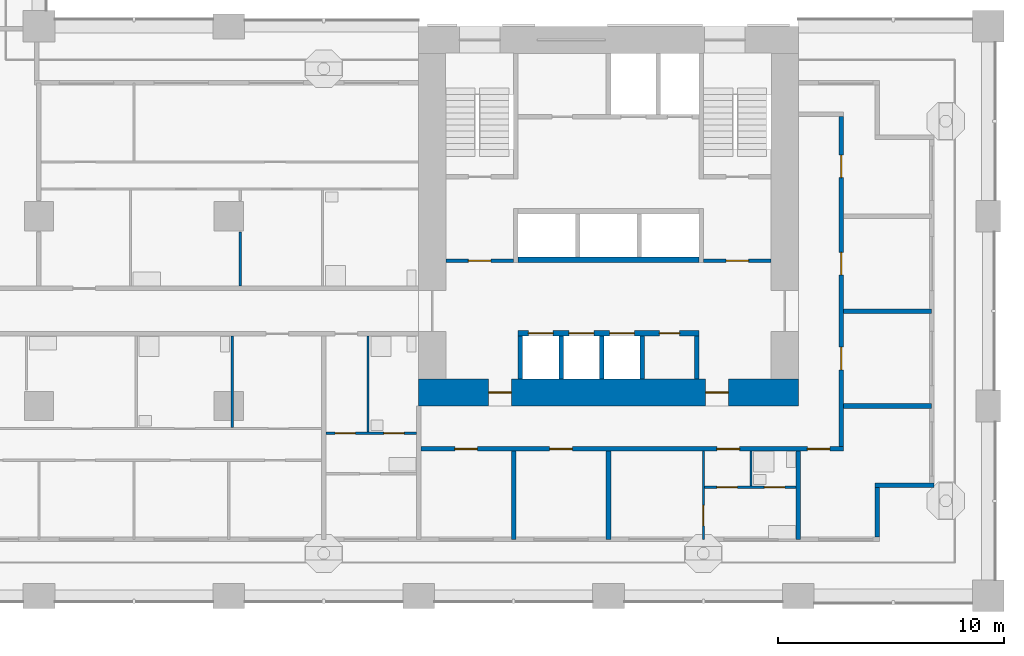
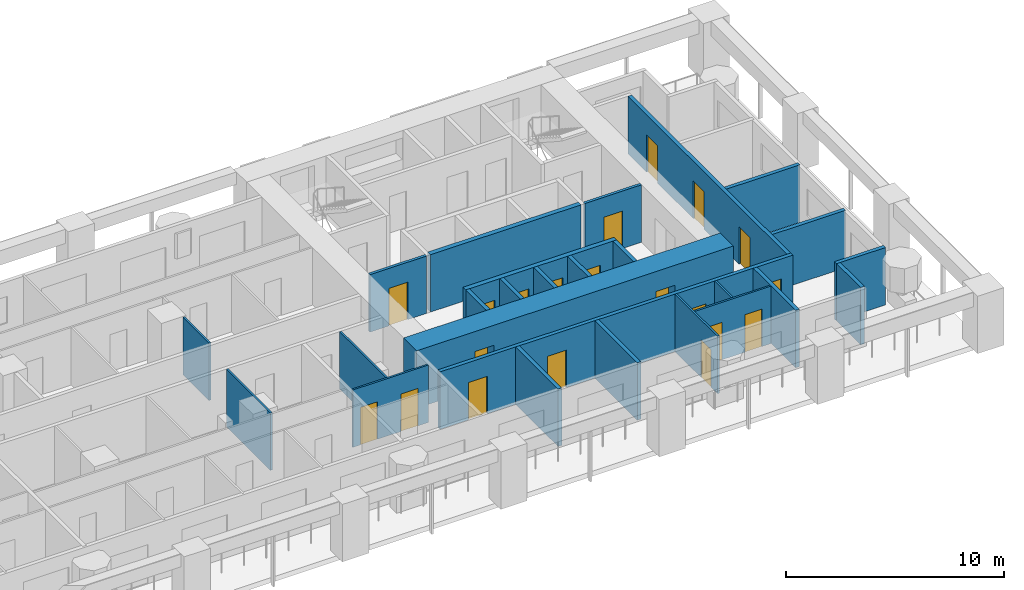
# One storey, part 5 of 19: 26 walls, 20 doors, 20 openings.
"""IFC4 building model written with IfcOpenShell, lengths in metres."""

from ifc_helpers import new_model, si_unit, direction, frame, frame_2d, origin, place, context, subcontext, project, spatial, rectangle, extrude, material, layer, layer_set, type_object, element, fill, save


model = new_model("IFC4")

# Units and contexts
model_context = context("Model", 3, precision=1e-05, world=origin(), true_north=direction((0.0, 1.0)))
body_context = subcontext(model_context, "Body", "Model", "MODEL_VIEW")
ifc_project = project(units=[si_unit("LENGTHUNIT", "METRE"), si_unit("AREAUNIT", "SQUARE_METRE"), si_unit("VOLUMEUNIT", "CUBIC_METRE"), si_unit("PLANEANGLEUNIT", "RADIAN"), si_unit("MASSUNIT", "GRAM", prefix="KILO")], contexts=[model_context])

# Site, building, storey
site_placement = place(None, origin())
site = spatial("IfcSite", under=ifc_project, at=site_placement, CompositionType="ELEMENT")
building_placement = place(site_placement, origin())
building = spatial("IfcBuilding", under=site, at=building_placement, Name="Vermilion Gate Residences", CompositionType="ELEMENT")
storey_placement = place(building_placement, frame((0.0, 0.0, 28.699951171875)))
storey = spatial("IfcBuildingStorey", under=building, at=storey_placement, Name="L05", CompositionType="ELEMENT", Elevation=28.699951171875)

# Wall, opening, door
ifc_material_1 = material(Name="Masonry blockwork", Category="masonry")
ifc_layer_1 = layer(ifc_material_1, 0.14990234375)
ifc_layer_set_1 = layer_set([ifc_layer_1], Name="BLOCKWORK PARTITION 150 EI 120")
wall_type_1 = type_object("IfcWallType", Name="BLOCKWORK PARTITION 150 EI 120", PredefinedType="PARTITIONING", material=ifc_layer_set_1)
wall_1_placement = place(storey_placement, frame((43.199951171875, 14.824951171875, 0.0), z_axis=(0.0, 0.0, 1.0), x_axis=(1.0, 0.0, 0.0)))
wall_1 = element("IfcWall", 1, at=wall_1_placement, inside=storey, type_object=wall_type_1, Name="Core room partition A05-VW-S", PredefinedType="PARTITIONING", context=body_context, shape_type="SweptSolid", body=[
    extrude(rectangle(XDim=3.0, YDim=0.14990234375, at=frame_2d((1.5, 0.0))), origin(), (0.0, 0.0, 1.0), 3.219970703125),
])
opening_1_placement = place(wall_1_placement, frame((1.0, 0.0, 0.0)))
opening_1 = element("IfcOpeningElement", 2, at=opening_1_placement, cuts=wall_1, Name="Opening DK05012", PredefinedType="OPENING", context=body_context, shape_type="SweptSolid", body=[
    extrude(rectangle(XDim=1.0, YDim=2.10009765625, at=frame_2d((0.5, 1.050048828125))), frame((0.0, 0.0849609375, 0.0), z_axis=(0.0, -1.0, 0.0), x_axis=(1.0, 0.0, 0.0)), (0.0, 0.0, 1.0), 0.169921875),
])
ifc_material_2 = material(Name="Steel", Category="steel")
door_type_1 = type_object("IfcDoorType", Name="FIRE DOOR FD60 1000 X 2100", OperationType="SINGLE_SWING_LEFT", PredefinedType="DOOR", material=ifc_material_2)
door_1_placement = place(opening_1_placement, frame((1.0, 0.0, 0.0), z_axis=(0.0, 0.0, 1.0), x_axis=(-1.0, 0.0, 0.0)))
door_1 = element("IfcDoor", 3, at=door_1_placement, inside=storey, type_object=door_type_1, Name="Stair vestibule door A05", OperationType="SINGLE_SWING_RIGHT", OverallHeight=2.10009765625, OverallWidth=1.0, PredefinedType="DOOR", context=body_context, shape_type="SweptSolid", body=[
    extrude(rectangle(XDim=1.0, YDim=2.10009765625, at=frame_2d((0.5, 1.050048828125))), frame((0.0, 0.02490234375, 0.0), z_axis=(0.0, -1.0, 0.0), x_axis=(1.0, 0.0, 0.0)), (0.0, 0.0, 1.0), 0.050048828125),
])
fill(opening_1, door_1)

wall_2_placement = place(storey_placement, frame((54.60009765625, 14.824951171875, 0.0), z_axis=(0.0, 0.0, 1.0), x_axis=(1.0, 0.0, 0.0)))
wall_2 = element("IfcWall", 4, at=wall_2_placement, inside=storey, type_object=wall_type_1, Name="Core room partition A05-VE-S", PredefinedType="PARTITIONING", context=body_context, shape_type="SweptSolid", body=[
    extrude(rectangle(XDim=3.0, YDim=0.14990234375, at=frame_2d((1.5, 0.0))), origin(), (0.0, 0.0, 1.0), 3.219970703125),
])
opening_2_placement = place(wall_2_placement, frame((1.0, 0.0, 0.0)))
opening_2 = element("IfcOpeningElement", 5, at=opening_2_placement, cuts=wall_2, Name="Opening DK05014", PredefinedType="OPENING", context=body_context, shape_type="SweptSolid", body=[
    extrude(rectangle(XDim=1.0, YDim=2.10009765625, at=frame_2d((0.5, 1.050048828125))), frame((0.0, 0.0849609375, 0.0), z_axis=(0.0, -1.0, 0.0), x_axis=(1.0, 0.0, 0.0)), (0.0, 0.0, 1.0), 0.169921875),
])
door_2_placement = place(opening_2_placement, frame((1.0, 0.0, 0.0), z_axis=(0.0, 0.0, 1.0), x_axis=(-1.0, 0.0, 0.0)))
door_2 = element("IfcDoor", 6, at=door_2_placement, inside=storey, type_object=door_type_1, Name="Stair vestibule door A05", OperationType="SINGLE_SWING_LEFT", OverallHeight=2.10009765625, OverallWidth=1.0, PredefinedType="DOOR", context=body_context, shape_type="SweptSolid", body=[
    extrude(rectangle(XDim=1.0, YDim=2.10009765625, at=frame_2d((0.5, 1.050048828125))), frame((0.0, 0.02490234375, 0.0), z_axis=(0.0, -1.0, 0.0), x_axis=(1.0, 0.0, 0.0)), (0.0, 0.0, 1.0), 0.050048828125),
])
fill(opening_2, door_2)

# Walls
ifc_material_3 = material(Name="Insulated steel stud wall with terracotta rainscreen", Category="masonry")
ifc_layer_2 = layer(ifc_material_3, 0.199951171875)
ifc_layer_set_2 = layer_set([ifc_layer_2], Name="EXTERNAL WALL 200 TERRACOTTA RAINSCREEN")
wall_type_2 = type_object("IfcWallType", Name="EXTERNAL WALL 200 TERRACOTTA RAINSCREEN", PredefinedType="SOLIDWALL", material=ifc_layer_set_2)
wall_3_placement = place(storey_placement, frame((62.300048828125, 2.60009765625, 0.0), z_axis=(0.0, 0.0, 1.0), x_axis=(0.0, 1.0, 0.0)))
element("IfcWall", 7, at=wall_3_placement, inside=storey, type_object=wall_type_2, Name="External wall", PredefinedType="SOLIDWALL", context=body_context, shape_type="SweptSolid", body=[
    extrude(rectangle(XDim=2.199951171875, YDim=0.199951171875, at=frame_2d((1.10009765625, 0.0))), origin(), (0.0, 0.0, 1.0), 3.219970703125),
])
wall_4_placement = place(storey_placement, frame((62.199951171875, 4.89990234375, 0.0), z_axis=(0.0, 0.0, 1.0), x_axis=(1.0, 0.0, 0.0)))
element("IfcWall", 8, at=wall_4_placement, inside=storey, type_object=wall_type_2, Name="External wall", PredefinedType="SOLIDWALL", context=body_context, shape_type="SweptSolid", body=[
    extrude(rectangle(XDim=2.60009765625, YDim=0.199951171875, at=frame_2d((1.300048828125, 0.0))), origin(), (0.0, 0.0, 1.0), 3.219970703125),
])

# Wall, openings, doors
ifc_material_4 = material(Name="Plasterboard on steel studs", Category="steel")
ifc_layer_3 = layer(ifc_material_4, 0.10009765625)
ifc_layer_set_3 = layer_set([ifc_layer_3], Name="PARTITION 100")
wall_type_3 = type_object("IfcWallType", Name="PARTITION 100", PredefinedType="PARTITIONING", material=ifc_layer_set_3)
wall_5_placement = place(storey_placement, frame((54.64990234375, 4.800048828125, 0.0), z_axis=(0.0, 0.0, 1.0), x_axis=(1.0, 0.0, 0.0)))
wall_5 = element("IfcWall", 9, at=wall_5_placement, inside=storey, type_object=wall_type_3, Name="Partition", PredefinedType="PARTITIONING", context=body_context, shape_type="SweptSolid", body=[
    extrude(rectangle(XDim=4.050048828125, YDim=0.10009765625, at=frame_2d((2.02490234375, 0.0))), origin(), (0.0, 0.0, 1.0), 3.219970703125),
])
opening_3_placement = place(wall_5_placement, frame((0.550048828125, 0.0, 0.0)))
opening_3 = element("IfcOpeningElement", 10, at=opening_3_placement, cuts=wall_5, Name="Opening DA04001", PredefinedType="OPENING", context=body_context, shape_type="SweptSolid", body=[
    extrude(rectangle(XDim=0.89990234375, YDim=2.10009765625, at=frame_2d((0.449951171875, 1.050048828125))), frame((0.0, 0.06005859375, 0.0), z_axis=(0.0, -1.0, 0.0), x_axis=(1.0, 0.0, 0.0)), (0.0, 0.0, 1.0), 0.1201171875),
])
opening_4_placement = place(wall_5_placement, frame((2.64990234375, 0.0, 0.0)))
opening_4 = element("IfcOpeningElement", 11, at=opening_4_placement, cuts=wall_5, Name="Opening DA04002", PredefinedType="OPENING", context=body_context, shape_type="SweptSolid", body=[
    extrude(rectangle(XDim=0.89990234375, YDim=2.10009765625, at=frame_2d((0.449951171875, 1.050048828125))), frame((0.0, 0.06005859375, 0.0), z_axis=(0.0, -1.0, 0.0), x_axis=(1.0, 0.0, 0.0)), (0.0, 0.0, 1.0), 0.1201171875),
])
ifc_material_5 = material(Name="Timber", Category="wood")
door_type_2 = type_object("IfcDoorType", Name="INTERIOR DOOR 900 X 2100", OperationType="SINGLE_SWING_LEFT", PredefinedType="DOOR", material=ifc_material_5)
door_3_placement = place(opening_3_placement, frame((0.89990234375, 0.0, 0.0), z_axis=(0.0, 0.0, 1.0), x_axis=(-1.0, 0.0, 0.0)))
door_3 = element("IfcDoor", 12, at=door_3_placement, inside=storey, type_object=door_type_2, Name="Interior door", OperationType="SINGLE_SWING_RIGHT", OverallHeight=2.10009765625, OverallWidth=0.89990234375, PredefinedType="DOOR", context=body_context, shape_type="SweptSolid", body=[
    extrude(rectangle(XDim=0.89990234375, YDim=2.10009765625, at=frame_2d((0.449951171875, 1.050048828125))), frame((0.0, 0.02490234375, 0.0), z_axis=(0.0, -1.0, 0.0), x_axis=(1.0, 0.0, 0.0)), (0.0, 0.0, 1.0), 0.050048828125),
])
fill(opening_3, door_3)
door_4_placement = place(opening_4_placement, origin())
door_4 = element("IfcDoor", 13, at=door_4_placement, inside=storey, type_object=door_type_2, Name="Interior door", OperationType="SINGLE_SWING_RIGHT", OverallHeight=2.10009765625, OverallWidth=0.89990234375, PredefinedType="DOOR", context=body_context, shape_type="SweptSolid", body=[
    extrude(rectangle(XDim=0.89990234375, YDim=2.10009765625, at=frame_2d((0.449951171875, 1.050048828125))), frame((0.0, 0.02490234375, 0.0), z_axis=(0.0, -1.0, 0.0), x_axis=(1.0, 0.0, 0.0)), (0.0, 0.0, 1.0), 0.050048828125),
])
fill(opening_4, door_4)

wall_6_placement = place(storey_placement, frame((37.89990234375, 7.199951171875, 0.0), z_axis=(0.0, 0.0, 1.0), x_axis=(1.0, 0.0, 0.0)))
wall_6 = element("IfcWall", 14, at=wall_6_placement, inside=storey, type_object=wall_type_3, Name="Partition", PredefinedType="PARTITIONING", context=body_context, shape_type="SweptSolid", body=[
    extrude(rectangle(XDim=4.0, YDim=0.10009765625, at=frame_2d((2.0, 0.0))), origin(), (0.0, 0.0, 1.0), 3.219970703125),
])
opening_5_placement = place(wall_6_placement, frame((0.39990234375, 0.0, 0.0)))
opening_5 = element("IfcOpeningElement", 15, at=opening_5_placement, cuts=wall_6, Name="Opening DA04013", PredefinedType="OPENING", context=body_context, shape_type="SweptSolid", body=[
    extrude(rectangle(XDim=0.89990234375, YDim=2.10009765625, at=frame_2d((0.449951171875, 1.050048828125))), frame((0.0, 0.06005859375, 0.0), z_axis=(0.0, -1.0, 0.0), x_axis=(1.0, 0.0, 0.0)), (0.0, 0.0, 1.0), 0.1201171875),
])
opening_6_placement = place(wall_6_placement, frame((2.56005859375, 0.0, 0.0)))
opening_6 = element("IfcOpeningElement", 16, at=opening_6_placement, cuts=wall_6, Name="Opening DA04014", PredefinedType="OPENING", context=body_context, shape_type="SweptSolid", body=[
    extrude(rectangle(XDim=0.89990234375, YDim=2.10009765625, at=frame_2d((0.449951171875, 1.050048828125))), frame((0.0, 0.06005859375, 0.0), z_axis=(0.0, -1.0, 0.0), x_axis=(1.0, 0.0, 0.0)), (0.0, 0.0, 1.0), 0.1201171875),
])
door_5_placement = place(opening_5_placement, frame((0.89990234375, 0.0, 0.0), z_axis=(0.0, 0.0, 1.0), x_axis=(-1.0, 0.0, 0.0)))
door_5 = element("IfcDoor", 17, at=door_5_placement, inside=storey, type_object=door_type_2, Name="Interior door", OperationType="SINGLE_SWING_RIGHT", OverallHeight=2.10009765625, OverallWidth=0.89990234375, PredefinedType="DOOR", context=body_context, shape_type="SweptSolid", body=[
    extrude(rectangle(XDim=0.89990234375, YDim=2.10009765625, at=frame_2d((0.449951171875, 1.050048828125))), frame((0.0, 0.02490234375, 0.0), z_axis=(0.0, -1.0, 0.0), x_axis=(1.0, 0.0, 0.0)), (0.0, 0.0, 1.0), 0.050048828125),
])
fill(opening_5, door_5)
door_6_placement = place(opening_6_placement, frame((0.89990234375, 0.0, 0.0), z_axis=(0.0, 0.0, 1.0), x_axis=(-1.0, 0.0, 0.0)))
door_6 = element("IfcDoor", 18, at=door_6_placement, inside=storey, type_object=door_type_2, Name="Interior door", OperationType="SINGLE_SWING_LEFT", OverallHeight=2.10009765625, OverallWidth=0.89990234375, PredefinedType="DOOR", context=body_context, shape_type="SweptSolid", body=[
    extrude(rectangle(XDim=0.89990234375, YDim=2.10009765625, at=frame_2d((0.449951171875, 1.050048828125))), frame((0.0, 0.02490234375, 0.0), z_axis=(0.0, -1.0, 0.0), x_axis=(1.0, 0.0, 0.0)), (0.0, 0.0, 1.0), 0.050048828125),
])
fill(opening_6, door_6)

# Walls
wall_7_placement = place(storey_placement, frame((33.75, 7.449951171875, 0.0), z_axis=(0.0, 0.0, 1.0), x_axis=(0.0, 1.0, 0.0)))
element("IfcWall", 19, at=wall_7_placement, inside=storey, type_object=wall_type_3, Name="Partition", PredefinedType="PARTITIONING", context=body_context, shape_type="SweptSolid", body=[
    extrude(rectangle(XDim=4.050048828125, YDim=0.10009765625, at=frame_2d((2.02490234375, 0.0))), origin(), (0.0, 0.0, 1.0), 3.219970703125),
])
wall_8_placement = place(storey_placement, frame((34.10009765625, 13.699951171875, 0.0), z_axis=(0.0, 0.0, 1.0), x_axis=(0.0, 1.0, 0.0)))
element("IfcWall", 20, at=wall_8_placement, inside=storey, type_object=wall_type_3, Name="Partition", PredefinedType="PARTITIONING", context=body_context, shape_type="SweptSolid", body=[
    extrude(rectangle(XDim=2.400146484375, YDim=0.10009765625, at=frame_2d((1.2001953125, 0.0))), origin(), (0.0, 0.0, 1.0), 3.219970703125),
])
wall_9_placement = place(storey_placement, frame((39.760009765625, 7.25, 0.0), z_axis=(0.0, 0.0, 1.0), x_axis=(0.0, 1.0, 0.0)))
element("IfcWall", 21, at=wall_9_placement, inside=storey, type_object=wall_type_3, Name="Partition", PredefinedType="PARTITIONING", context=body_context, shape_type="SweptSolid", body=[
    extrude(rectangle(XDim=4.25, YDim=0.10009765625, at=frame_2d((2.125, 0.0))), origin(), (0.0, 0.0, 1.0), 3.219970703125),
])

# Wall, opening, door
wall_10_placement = place(storey_placement, frame((54.60009765625, 2.5, 0.0), z_axis=(0.0, 0.0, 1.0), x_axis=(0.0, 1.0, 0.0)))
wall_10 = element("IfcWall", 22, at=wall_10_placement, inside=storey, type_object=wall_type_3, Name="Partition", PredefinedType="PARTITIONING", context=body_context, shape_type="SweptSolid", body=[
    extrude(rectangle(XDim=3.89990234375, YDim=0.10009765625, at=frame_2d((1.949951171875, 0.0))), origin(), (0.0, 0.0, 1.0), 3.219970703125),
])
opening_7_placement = place(wall_10_placement, frame((0.60009765625, 0.0, 0.0)))
opening_7 = element("IfcOpeningElement", 23, at=opening_7_placement, cuts=wall_10, Name="Opening DA04065", PredefinedType="OPENING", context=body_context, shape_type="SweptSolid", body=[
    extrude(rectangle(XDim=0.89990234375, YDim=2.10009765625, at=frame_2d((0.449951171875, 1.050048828125))), frame((0.0, 0.06005859375, 0.0), z_axis=(0.0, -1.0, 0.0), x_axis=(1.0, 0.0, 0.0)), (0.0, 0.0, 1.0), 0.1201171875),
])
door_7_placement = place(opening_7_placement, frame((0.89990234375, 0.0, 0.0), z_axis=(0.0, 0.0, 1.0), x_axis=(-1.0, 0.0, 0.0)))
door_7 = element("IfcDoor", 24, at=door_7_placement, inside=storey, type_object=door_type_2, Name="Interior door", OperationType="SINGLE_SWING_RIGHT", OverallHeight=2.10009765625, OverallWidth=0.89990234375, PredefinedType="DOOR", context=body_context, shape_type="SweptSolid", body=[
    extrude(rectangle(XDim=0.89990234375, YDim=2.10009765625, at=frame_2d((0.449951171875, 1.050048828125))), frame((0.0, 0.02490234375, 0.0), z_axis=(0.0, -1.0, 0.0), x_axis=(1.0, 0.0, 0.0)), (0.0, 0.0, 1.0), 0.050048828125),
])
fill(opening_7, door_7)

# Wall
wall_11_placement = place(storey_placement, frame((56.699951171875, 4.85009765625, 0.0), z_axis=(0.0, 0.0, 1.0), x_axis=(0.0, 1.0, 0.0)))
element("IfcWall", 25, at=wall_11_placement, inside=storey, type_object=wall_type_3, Name="Partition", PredefinedType="PARTITIONING", context=body_context, shape_type="SweptSolid", body=[
    extrude(rectangle(XDim=1.5498046875, YDim=0.10009765625, at=frame_2d((0.77490234375, 0.0))), origin(), (0.0, 0.0, 1.0), 3.219970703125),
])

# Wall, openings, doors
ifc_material_6 = material(Name="Fire-rated plasterboard on steel studs", Category="steel")
ifc_layer_4 = layer(ifc_material_6, 0.199951171875)
ifc_layer_set_4 = layer_set([ifc_layer_4], Name="PARTY WALL 200 EI 120")
wall_type_4 = type_object("IfcWallType", Name="PARTY WALL 200 EI 120", PredefinedType="PARTITIONING", material=ifc_layer_set_4)
wall_12_placement = place(storey_placement, frame((42.10009765625, 6.5, 0.0), z_axis=(0.0, 0.0, 1.0), x_axis=(1.0, 0.0, 0.0)))
wall_12 = element("IfcWall", 26, at=wall_12_placement, inside=storey, type_object=wall_type_4, Name="Party and corridor wall", PredefinedType="PARTITIONING", context=body_context, shape_type="SweptSolid", body=[
    extrude(rectangle(XDim=18.699951171875, YDim=0.199951171875, at=frame_2d((9.35009765625, 0.0))), origin(), (0.0, 0.0, 1.0), 3.219970703125),
])
opening_8_placement = place(wall_12_placement, frame((1.5, 0.0, 0.0)))
opening_8 = element("IfcOpeningElement", 27, at=opening_8_placement, cuts=wall_12, Name="Opening DA04009", PredefinedType="OPENING", context=body_context, shape_type="SweptSolid", body=[
    extrude(rectangle(XDim=1.0, YDim=2.10009765625, at=frame_2d((0.5, 1.050048828125))), frame((0.0, 0.10986328125, 0.0), z_axis=(0.0, -1.0, 0.0), x_axis=(1.0, 0.0, 0.0)), (0.0, 0.0, 1.0), 0.219970703125),
])
opening_9_placement = place(wall_12_placement, frame((5.699951171875, 0.0, 0.0)))
opening_9 = element("IfcOpeningElement", 28, at=opening_9_placement, cuts=wall_12, Name="Opening DA04010", PredefinedType="OPENING", context=body_context, shape_type="SweptSolid", body=[
    extrude(rectangle(XDim=1.0, YDim=2.10009765625, at=frame_2d((0.5, 1.050048828125))), frame((0.0, 0.10986328125, 0.0), z_axis=(0.0, -1.0, 0.0), x_axis=(1.0, 0.0, 0.0)), (0.0, 0.0, 1.0), 0.219970703125),
])
opening_10_placement = place(wall_12_placement, frame((13.10009765625, 0.0, 0.0)))
opening_10 = element("IfcOpeningElement", 29, at=opening_10_placement, cuts=wall_12, Name="Opening DA04011", PredefinedType="OPENING", context=body_context, shape_type="SweptSolid", body=[
    extrude(rectangle(XDim=1.0, YDim=2.10009765625, at=frame_2d((0.5, 1.050048828125))), frame((0.0, 0.10986328125, 0.0), z_axis=(0.0, -1.0, 0.0), x_axis=(1.0, 0.0, 0.0)), (0.0, 0.0, 1.0), 0.219970703125),
])
opening_11_placement = place(wall_12_placement, frame((17.10009765625, 0.0, 0.0)))
opening_11 = element("IfcOpeningElement", 30, at=opening_11_placement, cuts=wall_12, Name="Opening DA04012", PredefinedType="OPENING", context=body_context, shape_type="SweptSolid", body=[
    extrude(rectangle(XDim=1.0, YDim=2.10009765625, at=frame_2d((0.5, 1.050048828125))), frame((0.0, 0.10986328125, 0.0), z_axis=(0.0, -1.0, 0.0), x_axis=(1.0, 0.0, 0.0)), (0.0, 0.0, 1.0), 0.219970703125),
])
ifc_material_7 = material(Name="Steel", Category="steel")
door_type_3 = type_object("IfcDoorType", Name="ENTRANCE DOOR 1000 X 2100 FD30", OperationType="SINGLE_SWING_LEFT", PredefinedType="DOOR", material=ifc_material_7)
door_8_placement = place(opening_8_placement, frame((1.0, 0.0, 0.0), z_axis=(0.0, 0.0, 1.0), x_axis=(-1.0, 0.0, 0.0)))
door_8 = element("IfcDoor", 31, at=door_8_placement, inside=storey, type_object=door_type_3, Name="Entrance door", OperationType="SINGLE_SWING_RIGHT", OverallHeight=2.10009765625, OverallWidth=1.0, PredefinedType="DOOR", context=body_context, shape_type="SweptSolid", body=[
    extrude(rectangle(XDim=1.0, YDim=2.10009765625, at=frame_2d((0.5, 1.050048828125))), frame((0.0, 0.02490234375, 0.0), z_axis=(0.0, -1.0, 0.0), x_axis=(1.0, 0.0, 0.0)), (0.0, 0.0, 1.0), 0.050048828125),
])
fill(opening_8, door_8)
door_9_placement = place(opening_9_placement, frame((1.0, 0.0, 0.0), z_axis=(0.0, 0.0, 1.0), x_axis=(-1.0, 0.0, 0.0)))
door_9 = element("IfcDoor", 32, at=door_9_placement, inside=storey, type_object=door_type_3, Name="Entrance door", OperationType="SINGLE_SWING_LEFT", OverallHeight=2.10009765625, OverallWidth=1.0, PredefinedType="DOOR", context=body_context, shape_type="SweptSolid", body=[
    extrude(rectangle(XDim=1.0, YDim=2.10009765625, at=frame_2d((0.5, 1.050048828125))), frame((0.0, 0.02490234375, 0.0), z_axis=(0.0, -1.0, 0.0), x_axis=(1.0, 0.0, 0.0)), (0.0, 0.0, 1.0), 0.050048828125),
])
fill(opening_9, door_9)
door_10_placement = place(opening_10_placement, frame((1.0, 0.0, 0.0), z_axis=(0.0, 0.0, 1.0), x_axis=(-1.0, 0.0, 0.0)))
door_10 = element("IfcDoor", 33, at=door_10_placement, inside=storey, type_object=door_type_3, Name="Entrance door", OperationType="SINGLE_SWING_LEFT", OverallHeight=2.10009765625, OverallWidth=1.0, PredefinedType="DOOR", context=body_context, shape_type="SweptSolid", body=[
    extrude(rectangle(XDim=1.0, YDim=2.10009765625, at=frame_2d((0.5, 1.050048828125))), frame((0.0, 0.02490234375, 0.0), z_axis=(0.0, -1.0, 0.0), x_axis=(1.0, 0.0, 0.0)), (0.0, 0.0, 1.0), 0.050048828125),
])
fill(opening_10, door_10)
door_11_placement = place(opening_11_placement, frame((1.0, 0.0, 0.0), z_axis=(0.0, 0.0, 1.0), x_axis=(-1.0, 0.0, 0.0)))
door_11 = element("IfcDoor", 34, at=door_11_placement, inside=storey, type_object=door_type_3, Name="Entrance door", OperationType="SINGLE_SWING_RIGHT", OverallHeight=2.10009765625, OverallWidth=1.0, PredefinedType="DOOR", context=body_context, shape_type="SweptSolid", body=[
    extrude(rectangle(XDim=1.0, YDim=2.10009765625, at=frame_2d((0.5, 1.050048828125))), frame((0.0, 0.02490234375, 0.0), z_axis=(0.0, -1.0, 0.0), x_axis=(1.0, 0.0, 0.0)), (0.0, 0.0, 1.0), 0.050048828125),
])
fill(opening_11, door_11)

# Walls
for number, where, z_axis, x_axis, name in (
    (35, (60.800048828125, 8.39990234375, 0.0), (0.0, 0.0, 1.0), (1.0, 0.0, 0.0), "Party and corridor wall"),
    (36, (60.800048828125, 12.60009765625, 0.0), (0.0, 0.0, 1.0), (1.0, 0.0, 0.0), "Party and corridor wall"),
    (37, (46.199951171875, 2.5, 0.0), (0.0, 0.0, 1.0), (0.0, 1.0, 0.0), "Party and corridor wall"),
    (38, (50.39990234375, 2.5, 0.0), (0.0, 0.0, 1.0), (0.0, 1.0, 0.0), "Party and corridor wall"),
    (39, (58.800048828125, 2.5, 0.0), (0.0, 0.0, 1.0), (0.0, 1.0, 0.0), "Party and corridor wall"),
):
    element("IfcWall", number, at=place(storey_placement, frame(where, z_axis=z_axis, x_axis=x_axis)), inside=storey, type_object=wall_type_4, Name=name, PredefinedType="PARTITIONING", context=body_context, shape_type="SweptSolid", body=[
        extrude(rectangle(XDim=3.89990234375, YDim=0.199951171875, at=frame_2d((1.949951171875, 0.0))), origin(), (0.0, 0.0, 1.0), 3.219970703125),
    ])

# Wall, openings, doors
wall_13_placement = place(storey_placement, frame((60.699951171875, 6.60009765625, 0.0), z_axis=(0.0, 0.0, 1.0), x_axis=(0.0, 1.0, 0.0)))
wall_13 = element("IfcWall", 40, at=wall_13_placement, inside=storey, type_object=wall_type_4, Name="Party and corridor wall", PredefinedType="PARTITIONING", context=body_context, shape_type="SweptSolid", body=[
    extrude(rectangle(XDim=14.599853515625, YDim=0.199951171875, at=frame_2d((7.2998046875, 0.0))), origin(), (0.0, 0.0, 1.0), 3.219970703125),
])
opening_12_placement = place(wall_13_placement, frame((3.39990234375, 0.0, 0.0)))
opening_12 = element("IfcOpeningElement", 41, at=opening_12_placement, cuts=wall_13, Name="Opening DA04066", PredefinedType="OPENING", context=body_context, shape_type="SweptSolid", body=[
    extrude(rectangle(XDim=1.0, YDim=2.10009765625, at=frame_2d((0.5, 1.050048828125))), frame((0.0, 0.10986328125, 0.0), z_axis=(0.0, -1.0, 0.0), x_axis=(1.0, 0.0, 0.0)), (0.0, 0.0, 1.0), 0.219970703125),
])
opening_13_placement = place(wall_13_placement, frame((7.60009765625, 0.0, 0.0)))
opening_13 = element("IfcOpeningElement", 42, at=opening_13_placement, cuts=wall_13, Name="Opening DA04067", PredefinedType="OPENING", context=body_context, shape_type="SweptSolid", body=[
    extrude(rectangle(XDim=1.0, YDim=2.10009765625, at=frame_2d((0.5, 1.050048828125))), frame((0.0, 0.10986328125, 0.0), z_axis=(0.0, -1.0, 0.0), x_axis=(1.0, 0.0, 0.0)), (0.0, 0.0, 1.0), 0.219970703125),
])
opening_14_placement = place(wall_13_placement, frame((11.89990234375, 0.0, 0.0)))
opening_14 = element("IfcOpeningElement", 43, at=opening_14_placement, cuts=wall_13, Name="Opening DA04068", PredefinedType="OPENING", context=body_context, shape_type="SweptSolid", body=[
    extrude(rectangle(XDim=1.0, YDim=2.10009765625, at=frame_2d((0.5, 1.050048828125))), frame((0.0, 0.10986328125, 0.0), z_axis=(0.0, -1.0, 0.0), x_axis=(1.0, 0.0, 0.0)), (0.0, 0.0, 1.0), 0.219970703125),
])
door_12_placement = place(opening_12_placement, frame((1.0, 0.0, 0.0), z_axis=(0.0, 0.0, 1.0), x_axis=(-1.0, 0.0, 0.0)))
door_12 = element("IfcDoor", 44, at=door_12_placement, inside=storey, type_object=door_type_3, Name="Entrance door", OperationType="SINGLE_SWING_RIGHT", OverallHeight=2.10009765625, OverallWidth=1.0, PredefinedType="DOOR", context=body_context, shape_type="SweptSolid", body=[
    extrude(rectangle(XDim=1.0, YDim=2.10009765625, at=frame_2d((0.5, 1.050048828125))), frame((0.0, 0.02490234375, 0.0), z_axis=(0.0, -1.0, 0.0), x_axis=(1.0, 0.0, 0.0)), (0.0, 0.0, 1.0), 0.050048828125),
])
fill(opening_12, door_12)
door_13_placement = place(opening_13_placement, frame((1.0, 0.0, 0.0), z_axis=(0.0, 0.0, 1.0), x_axis=(-1.0, 0.0, 0.0)))
door_13 = element("IfcDoor", 45, at=door_13_placement, inside=storey, type_object=door_type_3, Name="Entrance door", OperationType="SINGLE_SWING_RIGHT", OverallHeight=2.10009765625, OverallWidth=1.0, PredefinedType="DOOR", context=body_context, shape_type="SweptSolid", body=[
    extrude(rectangle(XDim=1.0, YDim=2.10009765625, at=frame_2d((0.5, 1.050048828125))), frame((0.0, 0.02490234375, 0.0), z_axis=(0.0, -1.0, 0.0), x_axis=(1.0, 0.0, 0.0)), (0.0, 0.0, 1.0), 0.050048828125),
])
fill(opening_13, door_13)
door_14_placement = place(opening_14_placement, frame((1.0, 0.0, 0.0), z_axis=(0.0, 0.0, 1.0), x_axis=(-1.0, 0.0, 0.0)))
door_14 = element("IfcDoor", 46, at=door_14_placement, inside=storey, type_object=door_type_3, Name="Entrance door", OperationType="SINGLE_SWING_RIGHT", OverallHeight=2.10009765625, OverallWidth=1.0, PredefinedType="DOOR", context=body_context, shape_type="SweptSolid", body=[
    extrude(rectangle(XDim=1.0, YDim=2.10009765625, at=frame_2d((0.5, 1.050048828125))), frame((0.0, 0.02490234375, 0.0), z_axis=(0.0, -1.0, 0.0), x_axis=(1.0, 0.0, 0.0)), (0.0, 0.0, 1.0), 0.050048828125),
])
fill(opening_14, door_14)

# Walls
ifc_material_8 = material(Name="Concrete C60", Category="concrete")
ifc_layer_5 = layer(ifc_material_8, 0.199951171875)
ifc_layer_set_5 = layer_set([ifc_layer_5], Name="RC CORE INTERNAL WALL 200 C60")
wall_type_5 = type_object("IfcWallType", Name="RC CORE INTERNAL WALL 200 C60", PredefinedType="SHEAR", material=ifc_layer_set_5)
for number, where, z_axis, x_axis, name in (
    (47, (46.5, 9.60009765625, 0.0), (0.0, 0.0, 1.0), (0.0, 1.0, 0.0), "Core internal wall A05-LR-D0"),
    (48, (48.300048828125, 9.60009765625, 0.0), (0.0, 0.0, 1.0), (0.0, 1.0, 0.0), "Core internal wall A05-LR-D1"),
    (49, (50.10009765625, 9.60009765625, 0.0), (0.0, 0.0, 1.0), (0.0, 1.0, 0.0), "Core internal wall A05-LR-D2"),
    (50, (51.89990234375, 9.60009765625, 0.0), (0.0, 0.0, 1.0), (0.0, 1.0, 0.0), "Core internal wall A05-LR-D3"),
    (51, (54.300048828125, 9.60009765625, 0.0), (0.0, 0.0, 1.0), (0.0, 1.0, 0.0), "Core internal wall A05-LR-DE"),
):
    element("IfcWall", number, at=place(storey_placement, frame(where, z_axis=z_axis, x_axis=x_axis)), inside=storey, type_object=wall_type_5, Name=name, PredefinedType="SHEAR", context=body_context, shape_type="SweptSolid", body=[
        extrude(rectangle(XDim=1.89990234375, YDim=0.199951171875, at=frame_2d((0.949951171875, 0.0))), origin(), (0.0, 0.0, 1.0), 3.219970703125),
    ])

# Wall, openings, doors
ifc_material_9 = material(Name="Concrete C80", Category="concrete")
ifc_layer_6 = layer(ifc_material_9, 1.199951171875)
ifc_layer_set_6 = layer_set([ifc_layer_6], Name="RC CORE WALL 1200 C80")
wall_type_6 = type_object("IfcWallType", Name="RC CORE WALL 1200 C80", PredefinedType="SHEAR", material=ifc_layer_set_6)
wall_14_placement = place(storey_placement, frame((42.0, 9.0, 0.0), z_axis=(0.0, 0.0, 1.0), x_axis=(1.0, 0.0, 0.0)))
wall_14 = element("IfcWall", 52, at=wall_14_placement, inside=storey, type_object=wall_type_6, Name="Core wall A05-OUT-B0", PredefinedType="SHEAR", context=body_context, shape_type="SweptSolid", body=[
    extrude(rectangle(XDim=16.800048828125, YDim=1.199951171875, at=frame_2d((8.39990234375, 0.0))), origin(), (0.0, 0.0, 1.0), 3.219970703125),
])
opening_15_placement = place(wall_14_placement, frame((3.10009765625, 0.0, 0.0)))
opening_15 = element("IfcOpeningElement", 53, at=opening_15_placement, cuts=wall_14, Name="Opening DK05001", PredefinedType="OPENING", context=body_context, shape_type="SweptSolid", body=[
    extrude(rectangle(XDim=1.0, YDim=2.10009765625, at=frame_2d((0.5, 1.050048828125))), frame((0.0, 0.60986328125, 0.0), z_axis=(0.0, -1.0, 0.0), x_axis=(1.0, 0.0, 0.0)), (0.0, 0.0, 1.0), 1.219970703125),
])
opening_16_placement = place(wall_14_placement, frame((12.699951171875, 0.0, 0.0)))
opening_16 = element("IfcOpeningElement", 54, at=opening_16_placement, cuts=wall_14, Name="Opening DK05002", PredefinedType="OPENING", context=body_context, shape_type="SweptSolid", body=[
    extrude(rectangle(XDim=1.0, YDim=2.10009765625, at=frame_2d((0.5, 1.050048828125))), frame((0.0, 0.60986328125, 0.0), z_axis=(0.0, -1.0, 0.0), x_axis=(1.0, 0.0, 0.0)), (0.0, 0.0, 1.0), 1.219970703125),
])
door_15_placement = place(opening_15_placement, origin())
door_15 = element("IfcDoor", 55, at=door_15_placement, inside=storey, type_object=door_type_1, Name="Core lobby side door A05", OperationType="SINGLE_SWING_RIGHT", OverallHeight=2.10009765625, OverallWidth=1.0, PredefinedType="DOOR", context=body_context, shape_type="SweptSolid", body=[
    extrude(rectangle(XDim=1.0, YDim=2.10009765625, at=frame_2d((0.5, 1.050048828125))), frame((0.0, 0.02490234375, 0.0), z_axis=(0.0, -1.0, 0.0), x_axis=(1.0, 0.0, 0.0)), (0.0, 0.0, 1.0), 0.050048828125),
])
fill(opening_15, door_15)
door_16_placement = place(opening_16_placement, origin())
door_16 = element("IfcDoor", 56, at=door_16_placement, inside=storey, type_object=door_type_1, Name="Core lobby side door A05", OperationType="SINGLE_SWING_LEFT", OverallHeight=2.10009765625, OverallWidth=1.0, PredefinedType="DOOR", context=body_context, shape_type="SweptSolid", body=[
    extrude(rectangle(XDim=1.0, YDim=2.10009765625, at=frame_2d((0.5, 1.050048828125))), frame((0.0, 0.02490234375, 0.0), z_axis=(0.0, -1.0, 0.0), x_axis=(1.0, 0.0, 0.0)), (0.0, 0.0, 1.0), 0.050048828125),
])
fill(opening_16, door_16)

ifc_material_10 = material(Name="Concrete C60", Category="concrete")
ifc_layer_7 = layer(ifc_material_10, 0.25)
ifc_layer_set_7 = layer_set([ifc_layer_7], Name="RC LIFT SHAFT WALL 250 C60")
wall_type_7 = type_object("IfcWallType", Name="RC LIFT SHAFT WALL 250 C60", PredefinedType="SHEAR", material=ifc_layer_set_7)
wall_15_placement = place(storey_placement, frame((46.39990234375, 11.625, 0.0), z_axis=(0.0, 0.0, 1.0), x_axis=(1.0, 0.0, 0.0)))
wall_15 = element("IfcWall", 57, at=wall_15_placement, inside=storey, type_object=wall_type_7, Name="Lift shaft wall A05-LR-F", PredefinedType="SHEAR", context=body_context, shape_type="SweptSolid", body=[
    extrude(rectangle(XDim=8.0, YDim=0.25, at=frame_2d((4.0, 0.0))), origin(), (0.0, 0.0, 1.0), 3.219970703125),
])
opening_17_placement = place(wall_15_placement, frame((0.449951171875, 0.0, 0.0)))
opening_17 = element("IfcOpeningElement", 58, at=opening_17_placement, cuts=wall_15, Name="Opening LD", PredefinedType="OPENING", context=body_context, shape_type="SweptSolid", body=[
    extrude(rectangle(XDim=1.10009765625, YDim=2.10009765625, at=frame_2d((0.550048828125, 1.050048828125))), frame((0.0, 0.135009765625, 0.0), z_axis=(0.0, -1.0, 0.0), x_axis=(1.0, 0.0, 0.0)), (0.0, 0.0, 1.0), 0.27001953125),
])
opening_18_placement = place(wall_15_placement, frame((2.25, 0.0, 0.0)))
opening_18 = element("IfcOpeningElement", 59, at=opening_18_placement, cuts=wall_15, Name="Opening LD", PredefinedType="OPENING", context=body_context, shape_type="SweptSolid", body=[
    extrude(rectangle(XDim=1.10009765625, YDim=2.10009765625, at=frame_2d((0.550048828125, 1.050048828125))), frame((0.0, 0.135009765625, 0.0), z_axis=(0.0, -1.0, 0.0), x_axis=(1.0, 0.0, 0.0)), (0.0, 0.0, 1.0), 0.27001953125),
])
opening_19_placement = place(wall_15_placement, frame((4.050048828125, 0.0, 0.0)))
opening_19 = element("IfcOpeningElement", 60, at=opening_19_placement, cuts=wall_15, Name="Opening LD", PredefinedType="OPENING", context=body_context, shape_type="SweptSolid", body=[
    extrude(rectangle(XDim=1.10009765625, YDim=2.10009765625, at=frame_2d((0.550048828125, 1.050048828125))), frame((0.0, 0.135009765625, 0.0), z_axis=(0.0, -1.0, 0.0), x_axis=(1.0, 0.0, 0.0)), (0.0, 0.0, 1.0), 0.27001953125),
])
opening_20_placement = place(wall_15_placement, frame((6.25, 0.0, 0.0)))
opening_20 = element("IfcOpeningElement", 61, at=opening_20_placement, cuts=wall_15, Name="Opening DK05008", PredefinedType="OPENING", context=body_context, shape_type="SweptSolid", body=[
    extrude(rectangle(XDim=0.89990234375, YDim=2.10009765625, at=frame_2d((0.449951171875, 1.050048828125))), frame((0.0, 0.135009765625, 0.0), z_axis=(0.0, -1.0, 0.0), x_axis=(1.0, 0.0, 0.0)), (0.0, 0.0, 1.0), 0.27001953125),
])
ifc_material_11 = material(Name="Stainless steel", Category="steel")
door_type_4 = type_object("IfcDoorType", Name="LIFT LANDING DOOR E60 1100 X 2100", OperationType="DOUBLE_DOOR_SLIDING", PredefinedType="DOOR", material=ifc_material_11)
door_17_placement = place(opening_17_placement, origin())
door_17 = element("IfcDoor", 62, at=door_17_placement, inside=storey, type_object=door_type_4, Name="Lift landing door LRA1", OperationType="DOUBLE_DOOR_SLIDING", OverallHeight=2.10009765625, OverallWidth=1.10009765625, PredefinedType="DOOR", context=body_context, shape_type="SweptSolid", body=[
    extrude(rectangle(XDim=1.10009765625, YDim=2.10009765625, at=frame_2d((0.550048828125, 1.050048828125))), frame((0.0, 0.02490234375, 0.0), z_axis=(0.0, -1.0, 0.0), x_axis=(1.0, 0.0, 0.0)), (0.0, 0.0, 1.0), 0.050048828125),
])
fill(opening_17, door_17)
door_18_placement = place(opening_18_placement, origin())
door_18 = element("IfcDoor", 63, at=door_18_placement, inside=storey, type_object=door_type_4, Name="Lift landing door LRA2", OperationType="DOUBLE_DOOR_SLIDING", OverallHeight=2.10009765625, OverallWidth=1.10009765625, PredefinedType="DOOR", context=body_context, shape_type="SweptSolid", body=[
    extrude(rectangle(XDim=1.10009765625, YDim=2.10009765625, at=frame_2d((0.550048828125, 1.050048828125))), frame((0.0, 0.02490234375, 0.0), z_axis=(0.0, -1.0, 0.0), x_axis=(1.0, 0.0, 0.0)), (0.0, 0.0, 1.0), 0.050048828125),
])
fill(opening_18, door_18)
door_19_placement = place(opening_19_placement, origin())
door_19 = element("IfcDoor", 64, at=door_19_placement, inside=storey, type_object=door_type_4, Name="Lift landing door LRA3", OperationType="DOUBLE_DOOR_SLIDING", OverallHeight=2.10009765625, OverallWidth=1.10009765625, PredefinedType="DOOR", context=body_context, shape_type="SweptSolid", body=[
    extrude(rectangle(XDim=1.10009765625, YDim=2.10009765625, at=frame_2d((0.550048828125, 1.050048828125))), frame((0.0, 0.02490234375, 0.0), z_axis=(0.0, -1.0, 0.0), x_axis=(1.0, 0.0, 0.0)), (0.0, 0.0, 1.0), 0.050048828125),
])
fill(opening_19, door_19)
ifc_material_12 = material(Name="Steel", Category="steel")
door_type_5 = type_object("IfcDoorType", Name="SERVICE ROOM DOOR FD60 900 X 2100", OperationType="SINGLE_SWING_LEFT", PredefinedType="DOOR", material=ifc_material_12)
door_20_placement = place(opening_20_placement, frame((0.89990234375, 0.0, 0.0), z_axis=(0.0, 0.0, 1.0), x_axis=(-1.0, 0.0, 0.0)))
door_20 = element("IfcDoor", 65, at=door_20_placement, inside=storey, type_object=door_type_5, Name="Cleaner's store A05", OperationType="SINGLE_SWING_RIGHT", OverallHeight=2.10009765625, OverallWidth=0.89990234375, PredefinedType="DOOR", context=body_context, shape_type="SweptSolid", body=[
    extrude(rectangle(XDim=0.89990234375, YDim=2.10009765625, at=frame_2d((0.449951171875, 1.050048828125))), frame((0.0, 0.02490234375, 0.0), z_axis=(0.0, -1.0, 0.0), x_axis=(1.0, 0.0, 0.0)), (0.0, 0.0, 1.0), 0.050048828125),
])
fill(opening_20, door_20)

# Wall
wall_16_placement = place(storey_placement, frame((46.39990234375, 14.875, 0.0), z_axis=(0.0, 0.0, 1.0), x_axis=(1.0, 0.0, 0.0)))
element("IfcWall", 66, at=wall_16_placement, inside=storey, type_object=wall_type_7, Name="Lift shaft wall A05-HR-F", PredefinedType="SHEAR", context=body_context, shape_type="SweptSolid", body=[
    extrude(rectangle(XDim=8.0, YDim=0.25, at=frame_2d((4.0, 0.0))), origin(), (0.0, 0.0, 1.0), 3.219970703125),
])

save(model, "model.ifc")
